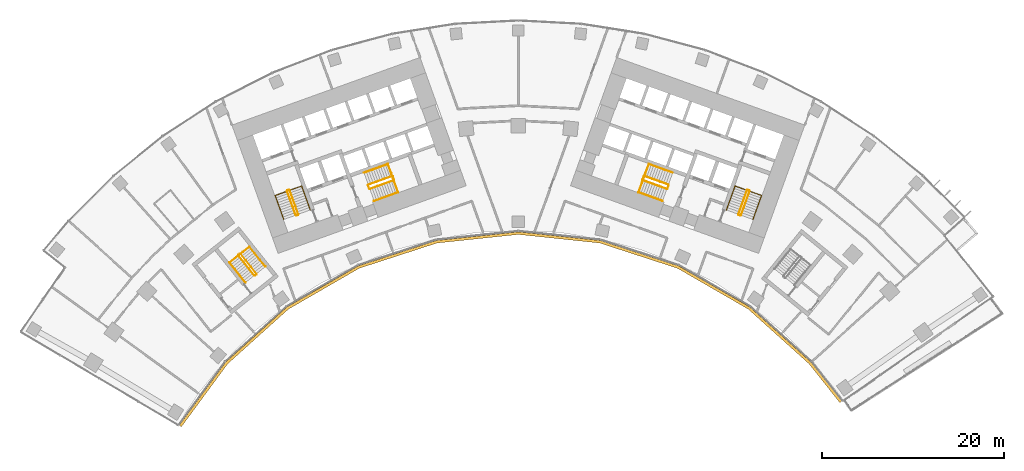
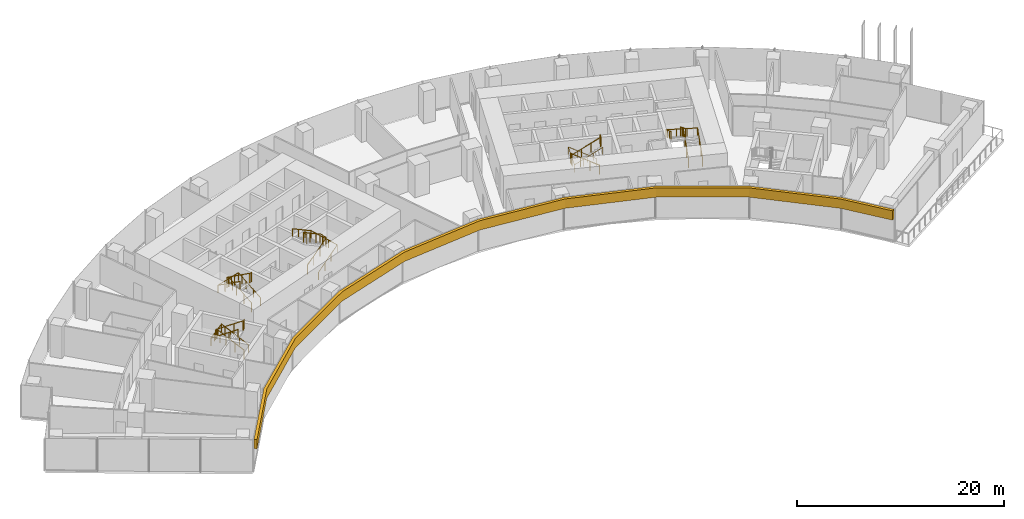
# One storey, part 20 of 21: 15 railings, 1 covering.
"""IFC4 building model written with IfcOpenShell, lengths in metres."""

from ifc_helpers import new_model, si_unit, direction, frame, origin, origin_2d, place, context, subcontext, project, spatial, polyline, circle, outline, extrude, material, layer, layer_set, type_object, element, save


model = new_model("IFC4")

# Units and contexts
model_context = context("Model", 3, precision=1e-05, world=origin(), true_north=direction((0.0, 1.0)))
body_context = subcontext(model_context, "Body", "Model", "MODEL_VIEW")
ifc_project = project(units=[si_unit("LENGTHUNIT", "METRE"), si_unit("AREAUNIT", "SQUARE_METRE"), si_unit("VOLUMEUNIT", "CUBIC_METRE"), si_unit("PLANEANGLEUNIT", "RADIAN"), si_unit("MASSUNIT", "GRAM", prefix="KILO")], contexts=[model_context])

# Site, building, storey
site_placement = place(None, origin())
site = spatial("IfcSite", under=ifc_project, at=site_placement, CompositionType="ELEMENT")
building_placement = place(site_placement, origin())
building = spatial("IfcBuilding", under=site, at=building_placement, Name="Stone Belt Terrace Tower", CompositionType="ELEMENT")
storey_placement = place(building_placement, frame((0.0, 0.0, 56.60009765625)))
storey = spatial("IfcBuildingStorey", under=building, at=storey_placement, Name="L13", CompositionType="ELEMENT", Elevation=56.60009765625)

# Railings
ifc_material_1 = material(Name="Structural steel C345", Category="steel")
railing_type_1 = type_object("IfcRailingType", Name="Stair guard 1100", PredefinedType="GUARDRAIL", material=ifc_material_1)
railing_1_placement = place(storey_placement, frame((-24.2119140625, 45.276123046875, 0.172607421875)))
element("IfcRailing", 1, at=railing_1_placement, inside=storey, type_object=railing_type_1, Name="L13 ST1A stair guard 1", PredefinedType="GUARDRAIL", context=body_context, shape_type="SweptSolid", body=[
    extrude(circle(Radius=0.02392578125, at=origin_2d()), frame((0.0, 0.0, 1.076171875), z_axis=(-0.288228637646, 0.800791768495, 0.525030280985), x_axis=(-0.940908529223, -0.338660803216, 0.0)), (0.0, 0.0, 1.0), 3.289794921875),
    extrude(circle(Radius=0.02392578125, at=origin_2d()), frame((-0.9482421875, 2.634521484375, 2.80322265625), z_axis=(-0.905209821074, 0.424964916, 0.0), x_axis=(-0.424964916, -0.905209821074, 0.0)), (0.0, 0.0, 1.0), 0.070556640625),
    extrude(circle(Radius=0.02392578125, at=origin_2d()), frame((-1.01220703125, 2.66455078125, 2.80322265625), z_axis=(-0.941105063269, -0.338114270461, 0.0), x_axis=(0.338114270461, -0.941105063269, 0.0)), (0.0, 0.0, 1.0), 0.199951171875),
    extrude(circle(Radius=0.02099609375, at=origin_2d()), origin(), (0.0, 0.0, 1.0), 1.052001953125),
    extrude(circle(Radius=0.02099609375, at=origin_2d()), frame((-0.316162109375, 0.878173828125, 0.57568359375)), (0.0, 0.0, 1.0), 1.052001953125),
    extrude(circle(Radius=0.02099609375, at=origin_2d()), frame((-0.632080078125, 1.75634765625, 1.151611328125)), (0.0, 0.0, 1.0), 1.052001953125),
    extrude(circle(Radius=0.02099609375, at=origin_2d()), frame((-0.9482421875, 2.634521484375, 1.727294921875)), (0.0, 0.0, 1.0), 1.052001953125),
    extrude(circle(Radius=0.02099609375, at=origin_2d()), frame((-1.01220703125, 2.66455078125, 1.727294921875)), (0.0, 0.0, 1.0), 1.052001953125),
    extrude(circle(Radius=0.02099609375, at=origin_2d()), frame((-1.200439453125, 2.596923828125, 1.727294921875)), (0.0, 0.0, 1.0), 1.052001953125),
])
railing_2_placement = place(storey_placement, frame((-25.4423828125, 47.80908203125, 2.072509765625)))
element("IfcRailing", 2, at=railing_2_placement, inside=storey, type_object=railing_type_1, Name="L13 ST1A stair guard 2", PredefinedType="GUARDRAIL", context=body_context, shape_type="SweptSolid", body=[
    extrude(circle(Radius=0.02392578125, at=origin_2d()), frame((0.0, 0.0, 1.076171875), z_axis=(0.288228637646, -0.800791768495, 0.525030280985), x_axis=(0.940908529223, 0.338660803216, 0.0)), (0.0, 0.0, 1.0), 3.289794921875),
    extrude(circle(Radius=0.02392578125, at=origin_2d()), frame((0.9482421875, -2.634521484375, 2.80322265625), z_axis=(0.903878284585, -0.427789722475, 0.0), x_axis=(0.427789722475, 0.903878284585, 0.0)), (0.0, 0.0, 1.0), 0.07080078125),
    extrude(circle(Radius=0.02392578125, at=origin_2d()), frame((1.01220703125, -2.664794921875, 2.80322265625), z_axis=(0.940575576748, 0.339584429008, 0.0), x_axis=(-0.339584429008, 0.940575576748, 0.0)), (0.0, 0.0, 1.0), 0.199951171875),
    extrude(circle(Radius=0.02099609375, at=origin_2d()), origin(), (0.0, 0.0, 1.0), 1.052001953125),
    extrude(circle(Radius=0.02099609375, at=origin_2d()), frame((0.316162109375, -0.878173828125, 0.57568359375)), (0.0, 0.0, 1.0), 1.052001953125),
    extrude(circle(Radius=0.02099609375, at=origin_2d()), frame((0.632080078125, -1.75634765625, 1.151611328125)), (0.0, 0.0, 1.0), 1.052001953125),
    extrude(circle(Radius=0.02099609375, at=origin_2d()), frame((0.9482421875, -2.634521484375, 1.727294921875)), (0.0, 0.0, 1.0), 1.052001953125),
    extrude(circle(Radius=0.02099609375, at=origin_2d()), frame((1.01220703125, -2.664794921875, 1.727294921875)), (0.0, 0.0, 1.0), 1.052001953125),
    extrude(circle(Radius=0.02099609375, at=origin_2d()), frame((1.2001953125, -2.596923828125, 1.727294921875)), (0.0, 0.0, 1.0), 1.052001953125),
])
railing_3_placement = place(storey_placement, frame((-16.33837890625, 48.056640625, 0.172607421875)))
element("IfcRailing", 3, at=railing_3_placement, inside=storey, type_object=railing_type_1, Name="L13 ST2A stair guard 1", PredefinedType="GUARDRAIL", context=body_context, shape_type="SweptSolid", body=[
    extrude(circle(Radius=0.02392578125, at=origin_2d()), frame((0.0, 0.0, 1.076171875), z_axis=(0.800808895155, 0.288160591223, 0.52504150989), x_axis=(-0.338583606334, 0.940936311087, 0.0)), (0.0, 0.0, 1.0), 3.289794921875),
    extrude(circle(Radius=0.02392578125, at=origin_2d()), frame((2.634521484375, 0.947998046875, 2.80322265625), z_axis=(0.427789722475, 0.903878284585, 0.0), x_axis=(-0.903878284585, 0.427789722475, 0.0)), (0.0, 0.0, 1.0), 0.07080078125),
    extrude(circle(Radius=0.02392578125, at=origin_2d()), frame((2.664794921875, 1.011962890625, 2.80322265625), z_axis=(-0.338654645739, 0.940910745459, 0.0), x_axis=(-0.940910745459, -0.338654645739, 0.0)), (0.0, 0.0, 1.0), 0.400146484375),
    extrude(circle(Radius=0.02099609375, at=origin_2d()), origin(), (0.0, 0.0, 1.0), 1.052001953125),
    extrude(circle(Radius=0.02099609375, at=origin_2d()), frame((0.878173828125, 0.31591796875, 0.57568359375)), (0.0, 0.0, 1.0), 1.052001953125),
    extrude(circle(Radius=0.02099609375, at=origin_2d()), frame((1.75634765625, 0.632080078125, 1.151611328125)), (0.0, 0.0, 1.0), 1.052001953125),
    extrude(circle(Radius=0.02099609375, at=origin_2d()), frame((2.634521484375, 0.947998046875, 1.727294921875)), (0.0, 0.0, 1.0), 1.052001953125),
    extrude(circle(Radius=0.02099609375, at=origin_2d()), frame((2.664794921875, 1.011962890625, 1.727294921875)), (0.0, 0.0, 1.0), 1.052001953125),
    extrude(circle(Radius=0.02099609375, at=origin_2d()), frame((2.529296875, 1.388427734375, 1.727294921875)), (0.0, 0.0, 1.0), 1.052001953125),
])
railing_4_placement = place(storey_placement, frame((-13.873046875, 49.47509765625, 2.072509765625)))
element("IfcRailing", 4, at=railing_4_placement, inside=storey, type_object=railing_type_1, Name="L13 ST2A stair guard 2", PredefinedType="GUARDRAIL", context=body_context, shape_type="SweptSolid", body=[
    extrude(circle(Radius=0.02392578125, at=origin_2d()), frame((0.0, 0.0, 1.076171875), z_axis=(-0.800808895155, -0.288160591223, 0.52504150989), x_axis=(0.338583606334, -0.940936311087, 0.0)), (0.0, 0.0, 1.0), 3.289794921875),
    extrude(circle(Radius=0.02392578125, at=origin_2d()), frame((-2.634521484375, -0.947998046875, 2.80322265625), z_axis=(-0.427789722475, -0.903878284585, 0.0), x_axis=(0.903878284585, -0.427789722475, 0.0)), (0.0, 0.0, 1.0), 0.07080078125),
    extrude(circle(Radius=0.02392578125, at=origin_2d()), frame((-2.664794921875, -1.011962890625, 2.80322265625), z_axis=(0.338654645739, -0.940910745459, 0.0), x_axis=(0.940910745459, 0.338654645739, 0.0)), (0.0, 0.0, 1.0), 0.400146484375),
    extrude(circle(Radius=0.02099609375, at=origin_2d()), origin(), (0.0, 0.0, 1.0), 1.052001953125),
    extrude(circle(Radius=0.02099609375, at=origin_2d()), frame((-0.878173828125, -0.31591796875, 0.57568359375)), (0.0, 0.0, 1.0), 1.052001953125),
    extrude(circle(Radius=0.02099609375, at=origin_2d()), frame((-1.75634765625, -0.632080078125, 1.151611328125)), (0.0, 0.0, 1.0), 1.052001953125),
    extrude(circle(Radius=0.02099609375, at=origin_2d()), frame((-2.634521484375, -0.947998046875, 1.727294921875)), (0.0, 0.0, 1.0), 1.052001953125),
    extrude(circle(Radius=0.02099609375, at=origin_2d()), frame((-2.664794921875, -1.011962890625, 1.727294921875)), (0.0, 0.0, 1.0), 1.052001953125),
    extrude(circle(Radius=0.02099609375, at=origin_2d()), frame((-2.529296875, -1.388427734375, 1.727294921875)), (0.0, 0.0, 1.0), 1.052001953125),
])
railing_5_placement = place(storey_placement, frame((24.494140625, 45.174560546875, 0.172607421875)))
element("IfcRailing", 5, at=railing_5_placement, inside=storey, type_object=railing_type_1, Name="L13 ST1B stair guard 1", PredefinedType="GUARDRAIL", context=body_context, shape_type="SweptSolid", body=[
    extrude(circle(Radius=0.02392578125, at=origin_2d()), frame((0.0, 0.0, 1.076171875), z_axis=(0.288228637646, 0.800791768495, 0.525030280985), x_axis=(-0.940908529223, 0.338660803216, 0.0)), (0.0, 0.0, 1.0), 3.289794921875),
    extrude(circle(Radius=0.02392578125, at=origin_2d()), frame((0.9482421875, 2.634521484375, 2.80322265625), z_axis=(-0.424964916, 0.905209821074, 0.0), x_axis=(-0.905209821074, -0.424964916, 0.0)), (0.0, 0.0, 1.0), 0.070556640625),
    extrude(circle(Radius=0.02392578125, at=origin_2d()), frame((0.918212890625, 2.698486328125, 2.80322265625), z_axis=(-0.941105063269, 0.338114270461, 0.0), x_axis=(-0.338114270461, -0.941105063269, 0.0)), (0.0, 0.0, 1.0), 0.199951171875),
    extrude(circle(Radius=0.02099609375, at=origin_2d()), origin(), (0.0, 0.0, 1.0), 1.052001953125),
    extrude(circle(Radius=0.02099609375, at=origin_2d()), frame((0.316162109375, 0.878173828125, 0.57568359375)), (0.0, 0.0, 1.0), 1.052001953125),
    extrude(circle(Radius=0.02099609375, at=origin_2d()), frame((0.632080078125, 1.75634765625, 1.151611328125)), (0.0, 0.0, 1.0), 1.052001953125),
    extrude(circle(Radius=0.02099609375, at=origin_2d()), frame((0.9482421875, 2.634521484375, 1.727294921875)), (0.0, 0.0, 1.0), 1.052001953125),
    extrude(circle(Radius=0.02099609375, at=origin_2d()), frame((0.918212890625, 2.698486328125, 1.727294921875)), (0.0, 0.0, 1.0), 1.052001953125),
    extrude(circle(Radius=0.02099609375, at=origin_2d()), frame((0.72998046875, 2.76611328125, 1.727294921875)), (0.0, 0.0, 1.0), 1.052001953125),
])
railing_6_placement = place(storey_placement, frame((25.16015625, 47.91064453125, 2.072509765625)))
element("IfcRailing", 6, at=railing_6_placement, inside=storey, type_object=railing_type_1, Name="L13 ST1B stair guard 2", PredefinedType="GUARDRAIL", context=body_context, shape_type="SweptSolid", body=[
    extrude(circle(Radius=0.02392578125, at=origin_2d()), frame((0.0, 0.0, 1.076171875), z_axis=(-0.288228637646, -0.800791768495, 0.525030280985), x_axis=(0.940908529223, -0.338660803216, 0.0)), (0.0, 0.0, 1.0), 3.289794921875),
    extrude(circle(Radius=0.02392578125, at=origin_2d()), frame((-0.9482421875, -2.634521484375, 2.80322265625), z_axis=(0.427789722475, -0.903878284585, 0.0), x_axis=(0.903878284585, 0.427789722475, 0.0)), (0.0, 0.0, 1.0), 0.07080078125),
    extrude(circle(Radius=0.02392578125, at=origin_2d()), frame((-0.91796875, -2.698486328125, 2.80322265625), z_axis=(0.940575576748, -0.339584429008, 0.0), x_axis=(0.339584429008, 0.940575576748, 0.0)), (0.0, 0.0, 1.0), 0.199951171875),
    extrude(circle(Radius=0.02099609375, at=origin_2d()), origin(), (0.0, 0.0, 1.0), 1.052001953125),
    extrude(circle(Radius=0.02099609375, at=origin_2d()), frame((-0.316162109375, -0.878173828125, 0.57568359375)), (0.0, 0.0, 1.0), 1.052001953125),
    extrude(circle(Radius=0.02099609375, at=origin_2d()), frame((-0.632080078125, -1.75634765625, 1.151611328125)), (0.0, 0.0, 1.0), 1.052001953125),
    extrude(circle(Radius=0.02099609375, at=origin_2d()), frame((-0.9482421875, -2.634521484375, 1.727294921875)), (0.0, 0.0, 1.0), 1.052001953125),
    extrude(circle(Radius=0.02099609375, at=origin_2d()), frame((-0.91796875, -2.698486328125, 1.727294921875)), (0.0, 0.0, 1.0), 1.052001953125),
    extrude(circle(Radius=0.02099609375, at=origin_2d()), frame((-0.72998046875, -2.766357421875, 1.727294921875)), (0.0, 0.0, 1.0), 1.052001953125),
])
railing_7_placement = place(storey_placement, frame((16.507568359375, 48.527099609375, 0.172607421875)))
element("IfcRailing", 7, at=railing_7_placement, inside=storey, type_object=railing_type_1, Name="L13 ST2B stair guard 1", PredefinedType="GUARDRAIL", context=body_context, shape_type="SweptSolid", body=[
    extrude(circle(Radius=0.02392578125, at=origin_2d()), frame((0.0, 0.0, 1.076171875), z_axis=(-0.800808895155, 0.288160591223, 0.52504150989), x_axis=(-0.338583606334, -0.940936311087, 0.0)), (0.0, 0.0, 1.0), 3.289794921875),
    extrude(circle(Radius=0.02392578125, at=origin_2d()), frame((-2.634521484375, 0.947998046875, 2.80322265625), z_axis=(-0.905209821074, -0.424964916, 0.0), x_axis=(0.424964916, -0.905209821074, 0.0)), (0.0, 0.0, 1.0), 0.070556640625),
    extrude(circle(Radius=0.02392578125, at=origin_2d()), frame((-2.698486328125, 0.91796875, 2.80322265625), z_axis=(-0.338654645739, -0.940910745459, 0.0), x_axis=(0.940910745459, -0.338654645739, 0.0)), (0.0, 0.0, 1.0), 0.400146484375),
    extrude(circle(Radius=0.02099609375, at=origin_2d()), origin(), (0.0, 0.0, 1.0), 1.052001953125),
    extrude(circle(Radius=0.02099609375, at=origin_2d()), frame((-0.878173828125, 0.31591796875, 0.57568359375)), (0.0, 0.0, 1.0), 1.052001953125),
    extrude(circle(Radius=0.02099609375, at=origin_2d()), frame((-1.75634765625, 0.632080078125, 1.151611328125)), (0.0, 0.0, 1.0), 1.052001953125),
    extrude(circle(Radius=0.02099609375, at=origin_2d()), frame((-2.634521484375, 0.947998046875, 1.727294921875)), (0.0, 0.0, 1.0), 1.052001953125),
    extrude(circle(Radius=0.02099609375, at=origin_2d()), frame((-2.698486328125, 0.91796875, 1.727294921875)), (0.0, 0.0, 1.0), 1.052001953125),
    extrude(circle(Radius=0.02099609375, at=origin_2d()), frame((-2.833984375, 0.54150390625, 1.727294921875)), (0.0, 0.0, 1.0), 1.052001953125),
])
railing_8_placement = place(storey_placement, frame((13.703857421875, 49.004638671875, 2.072509765625)))
element("IfcRailing", 8, at=railing_8_placement, inside=storey, type_object=railing_type_1, Name="L13 ST2B stair guard 2", PredefinedType="GUARDRAIL", context=body_context, shape_type="SweptSolid", body=[
    extrude(circle(Radius=0.02392578125, at=origin_2d()), frame((0.0, 0.0, 1.076171875), z_axis=(0.800808895155, -0.288160591223, 0.52504150989), x_axis=(0.338583606334, 0.940936311087, 0.0)), (0.0, 0.0, 1.0), 3.289794921875),
    extrude(circle(Radius=0.02392578125, at=origin_2d()), frame((2.634521484375, -0.947998046875, 2.80322265625), z_axis=(0.905209821074, 0.424964916, 0.0), x_axis=(-0.424964916, 0.905209821074, 0.0)), (0.0, 0.0, 1.0), 0.070556640625),
    extrude(circle(Radius=0.02392578125, at=origin_2d()), frame((2.698486328125, -0.91796875, 2.80322265625), z_axis=(0.338654645739, 0.940910745459, 0.0), x_axis=(-0.940910745459, 0.338654645739, 0.0)), (0.0, 0.0, 1.0), 0.400146484375),
    extrude(circle(Radius=0.02099609375, at=origin_2d()), origin(), (0.0, 0.0, 1.0), 1.052001953125),
    extrude(circle(Radius=0.02099609375, at=origin_2d()), frame((0.878173828125, -0.31591796875, 0.57568359375)), (0.0, 0.0, 1.0), 1.052001953125),
    extrude(circle(Radius=0.02099609375, at=origin_2d()), frame((1.75634765625, -0.632080078125, 1.151611328125)), (0.0, 0.0, 1.0), 1.052001953125),
    extrude(circle(Radius=0.02099609375, at=origin_2d()), frame((2.634521484375, -0.947998046875, 1.727294921875)), (0.0, 0.0, 1.0), 1.052001953125),
    extrude(circle(Radius=0.02099609375, at=origin_2d()), frame((2.698486328125, -0.91796875, 1.727294921875)), (0.0, 0.0, 1.0), 1.052001953125),
    extrude(circle(Radius=0.02099609375, at=origin_2d()), frame((2.833984375, -0.54150390625, 1.727294921875)), (0.0, 0.0, 1.0), 1.052001953125),
])
railing_9_placement = place(storey_placement, frame((-28.814208984375, 38.734619140625, 0.172607421875)))
element("IfcRailing", 9, at=railing_9_placement, inside=storey, type_object=railing_type_1, Name="L13 ST3A stair guard 1", PredefinedType="GUARDRAIL", context=body_context, shape_type="SweptSolid", body=[
    extrude(circle(Radius=0.02392578125, at=origin_2d()), frame((0.0, 0.0, 1.076171875), z_axis=(-0.530306321799, 0.665665785969, 0.525037395288), x_axis=(-0.782143211408, -0.623098705543, 0.0)), (0.0, 0.0, 1.0), 3.289794921875),
    extrude(circle(Radius=0.02392578125, at=origin_2d()), frame((-1.74462890625, 2.18994140625, 2.80322265625), z_axis=(-0.993883734674, 0.110431526075, 0.0), x_axis=(-0.110431526075, -0.993883734674, 0.0)), (0.0, 0.0, 1.0), 0.07080078125),
    extrude(circle(Radius=0.02392578125, at=origin_2d()), frame((-1.81494140625, 2.19775390625, 2.80322265625), z_axis=(-0.782533463299, -0.622608527742, 0.0), x_axis=(0.622608527742, -0.782533463299, 0.0)), (0.0, 0.0, 1.0), 0.199951171875),
    extrude(circle(Radius=0.02099609375, at=origin_2d()), origin(), (0.0, 0.0, 1.0), 1.052001953125),
    extrude(circle(Radius=0.02099609375, at=origin_2d()), frame((-0.58154296875, 0.72998046875, 0.57568359375)), (0.0, 0.0, 1.0), 1.052001953125),
    extrude(circle(Radius=0.02099609375, at=origin_2d()), frame((-1.1630859375, 1.4599609375, 1.151611328125)), (0.0, 0.0, 1.0), 1.052001953125),
    extrude(circle(Radius=0.02099609375, at=origin_2d()), frame((-1.74462890625, 2.18994140625, 1.727294921875)), (0.0, 0.0, 1.0), 1.052001953125),
    extrude(circle(Radius=0.02099609375, at=origin_2d()), frame((-1.81494140625, 2.19775390625, 1.727294921875)), (0.0, 0.0, 1.0), 1.052001953125),
    extrude(circle(Radius=0.02099609375, at=origin_2d()), frame((-1.971435546875, 2.0732421875, 1.727294921875)), (0.0, 0.0, 1.0), 1.052001953125),
])
railing_10_placement = place(storey_placement, frame((-30.793701171875, 40.737548828125, 2.072509765625)))
element("IfcRailing", 10, at=railing_10_placement, inside=storey, type_object=railing_type_1, Name="L13 ST3A stair guard 2", PredefinedType="GUARDRAIL", context=body_context, shape_type="SweptSolid", body=[
    extrude(circle(Radius=0.02392578125, at=origin_2d()), frame((0.0, 0.0, 1.076171875), z_axis=(0.530359659125, -0.665639588968, 0.525016732659), x_axis=(0.782100716982, 0.62315204284, 0.0)), (0.0, 0.0, 1.0), 3.2900390625),
    extrude(circle(Radius=0.02392578125, at=origin_2d()), frame((1.744873046875, -2.18994140625, 2.80322265625), z_axis=(0.993499272973, -0.113838458361, 0.0), x_axis=(0.113838458361, 0.993499272973, 0.0)), (0.0, 0.0, 1.0), 0.07080078125),
    extrude(circle(Radius=0.02392578125, at=origin_2d()), frame((1.815185546875, -2.197998046875, 2.80322265625), z_axis=(0.781464082609, 0.623950228458, 0.0), x_axis=(-0.623950228458, 0.781464082609, 0.0)), (0.0, 0.0, 1.0), 0.199951171875),
    extrude(circle(Radius=0.02099609375, at=origin_2d()), origin(), (0.0, 0.0, 1.0), 1.052001953125),
    extrude(circle(Radius=0.02099609375, at=origin_2d()), frame((0.58154296875, -0.72998046875, 0.57568359375)), (0.0, 0.0, 1.0), 1.052001953125),
    extrude(circle(Radius=0.02099609375, at=origin_2d()), frame((1.163330078125, -1.4599609375, 1.151611328125)), (0.0, 0.0, 1.0), 1.052001953125),
    extrude(circle(Radius=0.02099609375, at=origin_2d()), frame((1.744873046875, -2.18994140625, 1.727294921875)), (0.0, 0.0, 1.0), 1.052001953125),
    extrude(circle(Radius=0.02099609375, at=origin_2d()), frame((1.815185546875, -2.197998046875, 1.727294921875)), (0.0, 0.0, 1.0), 1.052001953125),
    extrude(circle(Radius=0.02099609375, at=origin_2d()), frame((1.971435546875, -2.0732421875, 1.727294921875)), (0.0, 0.0, 1.0), 1.052001953125),
])
railing_type_2 = type_object("IfcRailingType", Name="Stair handrail 900", PredefinedType="HANDRAIL", material=ifc_material_1)
railing_11_placement = place(storey_placement, frame((-22.894775390625, 45.750244140625, 0.172607421875)))
element("IfcRailing", 11, at=railing_11_placement, inside=storey, type_object=railing_type_2, Name="L13 ST1A stair handrail 1", PredefinedType="HANDRAIL", context=body_context, shape_type="SweptSolid", body=[
    extrude(circle(Radius=0.02392578125, at=origin_2d()), frame((0.0, 0.0, 0.8759765625), z_axis=(-0.288160591223, 0.800808895155, 0.52504150989), x_axis=(-0.940936311087, -0.338583606334, 0.0)), (0.0, 0.0, 1.0), 3.289794921875),
    extrude(circle(Radius=0.02392578125, at=origin_2d()), frame((-0.947998046875, 2.634521484375, 2.60302734375), z_axis=(-0.939464517435, -0.338106580597, 0.055591012205), x_axis=(0.338630230244, -0.940919532779, 0.0)), (0.0, 0.0, 1.0), 3.10498046875),
    extrude(circle(Radius=0.02392578125, at=origin_2d()), frame((-3.864990234375, 1.584716796875, 2.77587890625), z_axis=(0.288228637646, -0.800791768495, 0.525030280985), x_axis=(0.940908529223, 0.338660803216, 0.0)), (0.0, 0.0, 1.0), 3.289794921875),
    extrude(circle(Radius=0.02099609375, at=origin_2d()), origin(), (0.0, 0.0, 1.0), 0.851806640625),
    extrude(circle(Radius=0.02099609375, at=origin_2d()), frame((-0.31591796875, 0.878173828125, 0.57568359375)), (0.0, 0.0, 1.0), 0.851806640625),
    extrude(circle(Radius=0.02099609375, at=origin_2d()), frame((-0.632080078125, 1.75634765625, 1.151611328125)), (0.0, 0.0, 1.0), 0.851806640625),
    extrude(circle(Radius=0.02099609375, at=origin_2d()), frame((-0.947998046875, 2.634521484375, 1.727294921875)), (0.0, 0.0, 1.0), 0.851806640625),
    extrude(circle(Radius=0.02099609375, at=origin_2d()), frame((-1.92041015625, 2.28466796875, 1.784912109375)), (0.0, 0.0, 1.0), 0.851806640625),
    extrude(circle(Radius=0.02099609375, at=origin_2d()), frame((-2.892578125, 1.9345703125, 1.84228515625)), (0.0, 0.0, 1.0), 0.851806640625),
    extrude(circle(Radius=0.02099609375, at=origin_2d()), frame((-3.864990234375, 1.584716796875, 1.89990234375)), (0.0, 0.0, 1.0), 0.851806640625),
    extrude(circle(Radius=0.02099609375, at=origin_2d()), frame((-3.548828125, 0.70654296875, 2.4755859375)), (0.0, 0.0, 1.0), 0.851806640625),
    extrude(circle(Radius=0.02099609375, at=origin_2d()), frame((-3.23291015625, -0.171630859375, 3.051513671875)), (0.0, 0.0, 1.0), 0.851806640625),
    extrude(circle(Radius=0.02099609375, at=origin_2d()), frame((-2.916748046875, -1.0498046875, 3.627197265625)), (0.0, 0.0, 1.0), 0.851806640625),
])
railing_12_placement = place(storey_placement, frame((-15.8642578125, 46.7392578125, 0.172607421875)))
element("IfcRailing", 12, at=railing_12_placement, inside=storey, type_object=railing_type_2, Name="L13 ST2A stair handrail 1", PredefinedType="HANDRAIL", context=body_context, shape_type="SweptSolid", body=[
    extrude(circle(Radius=0.02392578125, at=origin_2d()), frame((0.0, 0.0, 0.8759765625), z_axis=(0.800791768495, 0.288228637646, 0.525030280985), x_axis=(-0.338660803216, 0.940908529223, 0.0)), (0.0, 0.0, 1.0), 3.289794921875),
    extrude(circle(Radius=0.02392578125, at=origin_2d()), frame((2.634521484375, 0.9482421875, 2.60302734375), z_axis=(-0.338160254016, 0.939637778147, 0.052234935458), x_axis=(-0.940922302781, -0.338622533404, 0.0)), (0.0, 0.0, 1.0), 3.304443359375),
    extrude(circle(Radius=0.02392578125, at=origin_2d()), frame((1.51708984375, 4.05322265625, 2.77587890625), z_axis=(-0.800791768495, -0.288228637646, 0.525030280985), x_axis=(0.338660803216, -0.940908529223, 0.0)), (0.0, 0.0, 1.0), 3.289794921875),
    extrude(circle(Radius=0.02099609375, at=origin_2d()), origin(), (0.0, 0.0, 1.0), 0.851806640625),
    extrude(circle(Radius=0.02099609375, at=origin_2d()), frame((0.878173828125, 0.316162109375, 0.57568359375)), (0.0, 0.0, 1.0), 0.851806640625),
    extrude(circle(Radius=0.02099609375, at=origin_2d()), frame((1.75634765625, 0.632080078125, 1.151611328125)), (0.0, 0.0, 1.0), 0.851806640625),
    extrude(circle(Radius=0.02099609375, at=origin_2d()), frame((2.634521484375, 0.9482421875, 1.727294921875)), (0.0, 0.0, 1.0), 0.851806640625),
    extrude(circle(Radius=0.02099609375, at=origin_2d()), frame((2.261962890625, 1.983154296875, 1.784912109375)), (0.0, 0.0, 1.0), 0.851806640625),
    extrude(circle(Radius=0.02099609375, at=origin_2d()), frame((1.8896484375, 3.018310546875, 1.84228515625)), (0.0, 0.0, 1.0), 0.851806640625),
    extrude(circle(Radius=0.02099609375, at=origin_2d()), frame((1.51708984375, 4.05322265625, 1.89990234375)), (0.0, 0.0, 1.0), 0.851806640625),
    extrude(circle(Radius=0.02099609375, at=origin_2d()), frame((0.638916015625, 3.737060546875, 2.4755859375)), (0.0, 0.0, 1.0), 0.851806640625),
    extrude(circle(Radius=0.02099609375, at=origin_2d()), frame((-0.2392578125, 3.421142578125, 3.051513671875)), (0.0, 0.0, 1.0), 0.851806640625),
    extrude(circle(Radius=0.02099609375, at=origin_2d()), frame((-1.117431640625, 3.10498046875, 3.627197265625)), (0.0, 0.0, 1.0), 0.851806640625),
])
railing_13_placement = place(storey_placement, frame((25.8115234375, 44.700439453125, 0.172607421875)))
element("IfcRailing", 13, at=railing_13_placement, inside=storey, type_object=railing_type_2, Name="L13 ST1B stair handrail 1", PredefinedType="HANDRAIL", context=body_context, shape_type="SweptSolid", body=[
    extrude(circle(Radius=0.02392578125, at=origin_2d()), frame((0.0, 0.0, 0.8759765625), z_axis=(0.288228637646, 0.800791768495, 0.525030280985), x_axis=(-0.940908529223, 0.338660803216, 0.0)), (0.0, 0.0, 1.0), 3.289794921875),
    extrude(circle(Radius=0.02392578125, at=origin_2d()), frame((0.9482421875, 2.634521484375, 2.60302734375), z_axis=(-0.939464517435, 0.338106580597, 0.055591012205), x_axis=(-0.338630230244, -0.940919532779, 0.0)), (0.0, 0.0, 1.0), 3.10498046875),
    extrude(circle(Radius=0.02392578125, at=origin_2d()), frame((-1.96875, 3.684326171875, 2.77587890625), z_axis=(-0.288160591223, -0.800808895155, 0.52504150989), x_axis=(0.940936311087, -0.338583606334, 0.0)), (0.0, 0.0, 1.0), 3.289794921875),
    extrude(circle(Radius=0.02099609375, at=origin_2d()), origin(), (0.0, 0.0, 1.0), 0.851806640625),
    extrude(circle(Radius=0.02099609375, at=origin_2d()), frame((0.316162109375, 0.878173828125, 0.57568359375)), (0.0, 0.0, 1.0), 0.851806640625),
    extrude(circle(Radius=0.02099609375, at=origin_2d()), frame((0.632080078125, 1.75634765625, 1.151611328125)), (0.0, 0.0, 1.0), 0.851806640625),
    extrude(circle(Radius=0.02099609375, at=origin_2d()), frame((0.9482421875, 2.634521484375, 1.727294921875)), (0.0, 0.0, 1.0), 0.851806640625),
    extrude(circle(Radius=0.02099609375, at=origin_2d()), frame((-0.024169921875, 2.984375, 1.784912109375)), (0.0, 0.0, 1.0), 0.851806640625),
    extrude(circle(Radius=0.02099609375, at=origin_2d()), frame((-0.996337890625, 3.33447265625, 1.84228515625)), (0.0, 0.0, 1.0), 0.851806640625),
    extrude(circle(Radius=0.02099609375, at=origin_2d()), frame((-1.96875, 3.684326171875, 1.89990234375)), (0.0, 0.0, 1.0), 0.851806640625),
    extrude(circle(Radius=0.02099609375, at=origin_2d()), frame((-2.28466796875, 2.80615234375, 2.4755859375)), (0.0, 0.0, 1.0), 0.851806640625),
    extrude(circle(Radius=0.02099609375, at=origin_2d()), frame((-2.600830078125, 1.927978515625, 3.051513671875)), (0.0, 0.0, 1.0), 0.851806640625),
    extrude(circle(Radius=0.02099609375, at=origin_2d()), frame((-2.916748046875, 1.0498046875, 3.627197265625)), (0.0, 0.0, 1.0), 0.851806640625),
])
railing_14_placement = place(storey_placement, frame((16.981689453125, 49.84423828125, 0.172607421875)))
element("IfcRailing", 14, at=railing_14_placement, inside=storey, type_object=railing_type_2, Name="L13 ST2B stair handrail 1", PredefinedType="HANDRAIL", context=body_context, shape_type="SweptSolid", body=[
    extrude(circle(Radius=0.02392578125, at=origin_2d()), frame((0.0, 0.0, 0.8759765625), z_axis=(-0.800791768495, 0.288228637646, 0.525030280985), x_axis=(-0.338660803216, -0.940908529223, 0.0)), (0.0, 0.0, 1.0), 3.289794921875),
    extrude(circle(Radius=0.02392578125, at=origin_2d()), frame((-2.634521484375, 0.9482421875, 2.60302734375), z_axis=(-0.338160254016, -0.939637778147, 0.052234935458), x_axis=(0.940922302781, -0.338622533404, 0.0)), (0.0, 0.0, 1.0), 3.304443359375),
    extrude(circle(Radius=0.02392578125, at=origin_2d()), frame((-3.751953125, -2.15673828125, 2.77587890625), z_axis=(0.800791768495, -0.288228637646, 0.525030280985), x_axis=(0.338660803216, 0.940908529223, 0.0)), (0.0, 0.0, 1.0), 3.289794921875),
    extrude(circle(Radius=0.02099609375, at=origin_2d()), origin(), (0.0, 0.0, 1.0), 0.851806640625),
    extrude(circle(Radius=0.02099609375, at=origin_2d()), frame((-0.878173828125, 0.316162109375, 0.57568359375)), (0.0, 0.0, 1.0), 0.851806640625),
    extrude(circle(Radius=0.02099609375, at=origin_2d()), frame((-1.75634765625, 0.632080078125, 1.151611328125)), (0.0, 0.0, 1.0), 0.851806640625),
    extrude(circle(Radius=0.02099609375, at=origin_2d()), frame((-2.634521484375, 0.9482421875, 1.727294921875)), (0.0, 0.0, 1.0), 0.851806640625),
    extrude(circle(Radius=0.02099609375, at=origin_2d()), frame((-3.007080078125, -0.086669921875, 1.784912109375)), (0.0, 0.0, 1.0), 0.851806640625),
    extrude(circle(Radius=0.02099609375, at=origin_2d()), frame((-3.37939453125, -1.121826171875, 1.84228515625)), (0.0, 0.0, 1.0), 0.851806640625),
    extrude(circle(Radius=0.02099609375, at=origin_2d()), frame((-3.751953125, -2.15673828125, 1.89990234375)), (0.0, 0.0, 1.0), 0.851806640625),
    extrude(circle(Radius=0.02099609375, at=origin_2d()), frame((-2.873779296875, -2.472900390625, 2.4755859375)), (0.0, 0.0, 1.0), 0.851806640625),
    extrude(circle(Radius=0.02099609375, at=origin_2d()), frame((-1.99560546875, -2.788818359375, 3.051513671875)), (0.0, 0.0, 1.0), 0.851806640625),
    extrude(circle(Radius=0.02099609375, at=origin_2d()), frame((-1.117431640625, -3.10498046875, 3.627197265625)), (0.0, 0.0, 1.0), 0.851806640625),
])
railing_15_placement = place(storey_placement, frame((-27.836669921875, 39.513427734375, 0.172607421875)))
element("IfcRailing", 15, at=railing_15_placement, inside=storey, type_object=railing_type_2, Name="L13 ST3A stair handrail 1", PredefinedType="HANDRAIL", context=body_context, shape_type="SweptSolid", body=[
    extrude(circle(Radius=0.02392578125, at=origin_2d()), frame((0.0, 0.0, 0.8759765625), z_axis=(-0.530306321799, 0.665665785969, 0.525037395288), x_axis=(-0.782143211408, -0.623098705543, 0.0)), (0.0, 0.0, 1.0), 3.289794921875),
    extrude(circle(Radius=0.02392578125, at=origin_2d()), frame((-1.74462890625, 2.18994140625, 2.60302734375), z_axis=(-0.780661215256, -0.62191806513, 0.061530376721), x_axis=(0.623098705543, -0.782143211408, 0.0)), (0.0, 0.0, 1.0), 2.80517578125),
    extrude(circle(Radius=0.02392578125, at=origin_2d()), frame((-3.9345703125, 0.4453125, 2.77587890625), z_axis=(0.530306321799, -0.665665785969, 0.525037395288), x_axis=(0.782143211408, 0.623098705543, 0.0)), (0.0, 0.0, 1.0), 3.289794921875),
    extrude(circle(Radius=0.02099609375, at=origin_2d()), origin(), (0.0, 0.0, 1.0), 0.851806640625),
    extrude(circle(Radius=0.02099609375, at=origin_2d()), frame((-0.58154296875, 0.72998046875, 0.57568359375)), (0.0, 0.0, 1.0), 0.851806640625),
    extrude(circle(Radius=0.02099609375, at=origin_2d()), frame((-1.1630859375, 1.4599609375, 1.151611328125)), (0.0, 0.0, 1.0), 0.851806640625),
    extrude(circle(Radius=0.02099609375, at=origin_2d()), frame((-1.74462890625, 2.18994140625, 1.727294921875)), (0.0, 0.0, 1.0), 0.851806640625),
    extrude(circle(Radius=0.02099609375, at=origin_2d()), frame((-2.474609375, 1.6083984375, 1.784912109375)), (0.0, 0.0, 1.0), 0.851806640625),
    extrude(circle(Radius=0.02099609375, at=origin_2d()), frame((-3.20458984375, 1.02685546875, 1.84228515625)), (0.0, 0.0, 1.0), 0.851806640625),
    extrude(circle(Radius=0.02099609375, at=origin_2d()), frame((-3.9345703125, 0.4453125, 1.89990234375)), (0.0, 0.0, 1.0), 0.851806640625),
    extrude(circle(Radius=0.02099609375, at=origin_2d()), frame((-3.35302734375, -0.28466796875, 2.4755859375)), (0.0, 0.0, 1.0), 0.851806640625),
    extrude(circle(Radius=0.02099609375, at=origin_2d()), frame((-2.771484375, -1.0146484375, 3.051513671875)), (0.0, 0.0, 1.0), 0.851806640625),
    extrude(circle(Radius=0.02099609375, at=origin_2d()), frame((-2.18994140625, -1.74462890625, 3.627197265625)), (0.0, 0.0, 1.0), 0.851806640625),
])

# Covering
ifc_material_2 = material(Name="Terracotta coloured glazed ceramic", Category="masonry")
ifc_layer = layer(ifc_material_2, 0.300048828125)
ifc_layer_set = layer_set([ifc_layer], Name="Terracotta spandrel band 300 x 1100")
covering_type = type_object("IfcCoveringType", Name="Terracotta spandrel band 300 x 1100", PredefinedType="CLADDING", material=ifc_layer_set)
covering_placement = place(storey_placement, frame((0.0, 0.0, 2.699951171875)))
element("IfcCovering", 16, at=covering_placement, inside=storey, type_object=covering_type, Name="BAND L13", PredefinedType="CLADDING", context=body_context, shape_type="SweptSolid", body=[
    extrude(outline(polyline([(-37.3134765625, 22.068115234375), (-32.215087890625, 29.006103515625), (-25.47998046875, 35.0703125), (-17.631591796875, 39.6015625), (-9.0126953125, 42.40185546875), (0.0, 43.34912109375), (9.0126953125, 42.40185546875), (17.631591796875, 39.6015625), (25.47998046875, 35.0703125), (32.217041015625, 29.004150390625), (35.607666015625, 24.72509765625), (35.37255859375, 24.538818359375), (31.99755859375, 28.798095703125), (25.302734375, 34.826171875), (17.509033203125, 39.325927734375), (8.9501953125, 42.10693359375), (0.0, 43.047607421875), (-8.9501953125, 42.10693359375), (-17.509033203125, 39.325927734375), (-25.302734375, 34.826171875), (-31.991455078125, 28.8037109375), (-37.071533203125, 21.890380859375), (-37.3134765625, 22.068115234375)])), origin(), (0.0, 0.0, 1.0), 1.099853515625),
])

save(model, "model.ifc")
